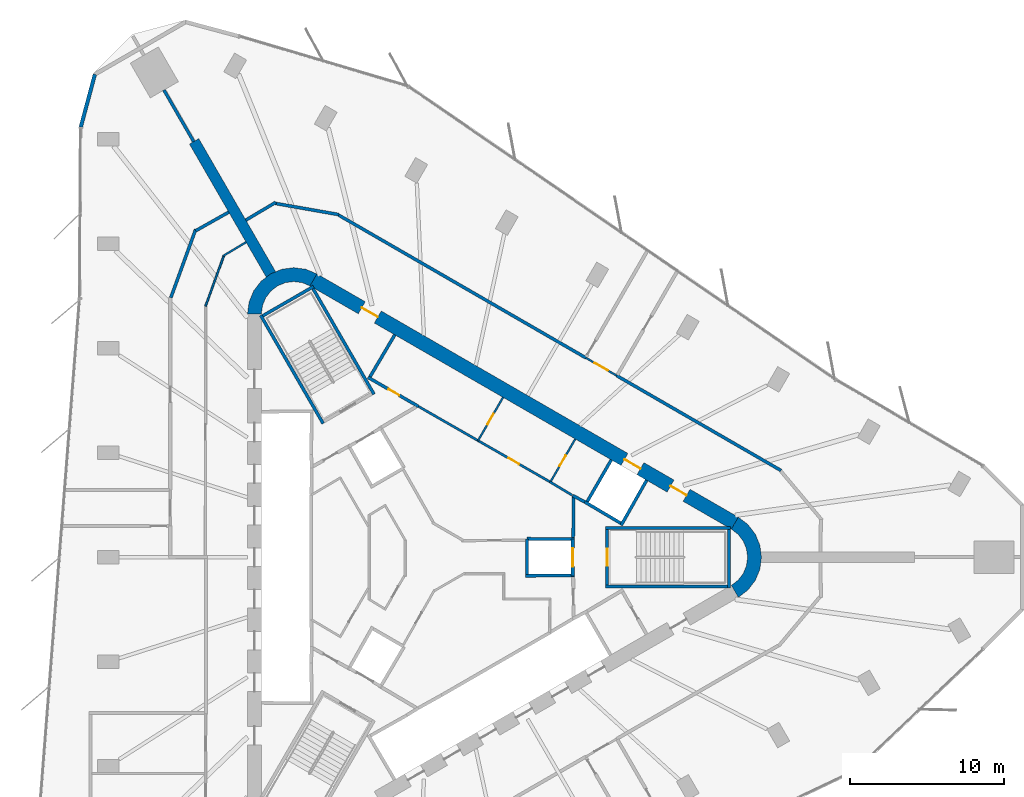
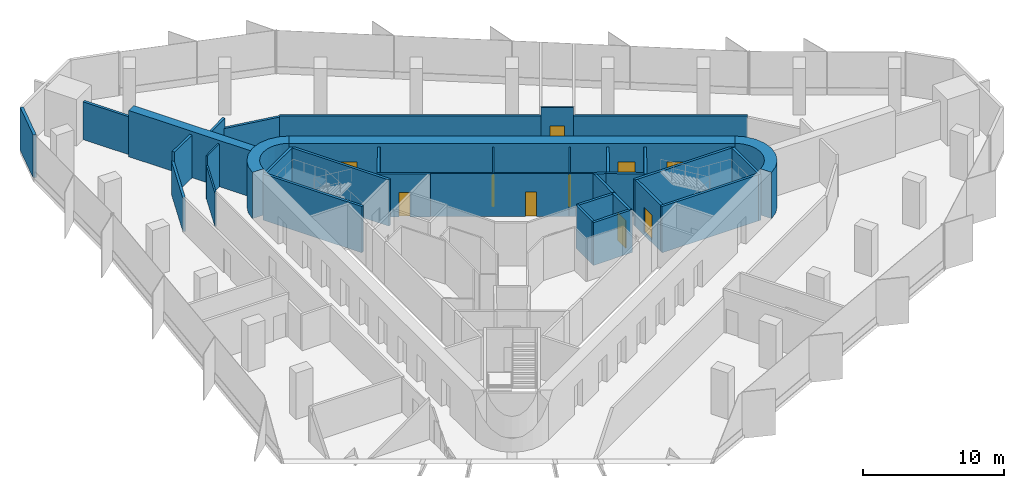
# One storey, part 11 of 13: 37 walls, 10 doors, 10 openings.
"""IFC4 building model written with IfcOpenShell, lengths in metres."""

from ifc_helpers import new_model, si_unit, direction, frame, frame_2d, origin, place, context, subcontext, project, spatial, polyline, rectangle, outline, extrude, material, layer, layer_set, type_object, element, fill, save


model = new_model("IFC4")

# Units and contexts
model_context = context("Model", 3, precision=1e-05, world=origin(), true_north=direction((0.0, 1.0)))
body_context = subcontext(model_context, "Body", "Model", "MODEL_VIEW")
ifc_project = project(units=[si_unit("LENGTHUNIT", "METRE"), si_unit("AREAUNIT", "SQUARE_METRE"), si_unit("VOLUMEUNIT", "CUBIC_METRE"), si_unit("PLANEANGLEUNIT", "RADIAN"), si_unit("MASSUNIT", "GRAM", prefix="KILO")], contexts=[model_context])

# Site, building, storey
site_placement = place(None, origin())
site = spatial("IfcSite", under=ifc_project, at=site_placement, CompositionType="ELEMENT")
building_placement = place(site_placement, origin())
building = spatial("IfcBuilding", under=site, at=building_placement, Name="Tanit Gate Tower", CompositionType="ELEMENT")
storey_placement = place(building_placement, frame((0.0, 0.0, 269.199951171875)))
storey = spatial("IfcBuildingStorey", under=building, at=storey_placement, Name="L61", CompositionType="ELEMENT", Elevation=269.199951171875)

# Wall
ifc_material_1 = material(Name="Concrete C50/60", Category="concrete")
ifc_layer_1 = layer(ifc_material_1, 0.699951171875)
ifc_layer_set_1 = layer_set([ifc_layer_1], Name="BUTTRESS FIN 700 C50/60")
wall_type_1 = type_object("IfcWallType", Name="BUTTRESS FIN 700 C50/60", PredefinedType="SHEAR", material=ifc_layer_set_1)
wall_1_placement = place(storey_placement, frame((-10.574951171875, 18.31640625, 0.0), z_axis=(0.0, 0.0, 1.0), x_axis=(-0.500007350791, 0.866021159762, 0.0)))
element("IfcWall", 1, at=wall_1_placement, inside=storey, type_object=wall_type_1, Name="BUTTRESS FIN", PredefinedType="SHEAR", context=body_context, shape_type="SweptSolid", body=[
    extrude(rectangle(XDim=9.964599609375, YDim=0.699951171875, at=frame_2d((4.982421875, 0.0))), origin(), (0.0, 0.0, 1.0), 4.0),
])

# Wall, openings, doors
ifc_material_2 = material(Name="Concrete C50/60", Category="concrete")
ifc_layer_2 = layer(ifc_material_2, 0.89990234375)
ifc_layer_set_2 = layer_set([ifc_layer_2], Name="CORE WALL 900 C50/60")
wall_type_2 = type_object("IfcWallType", Name="CORE WALL 900 C50/60", PredefinedType="SHEAR", material=ifc_layer_set_2)
wall_2_placement = place(storey_placement, frame((19.47509765625, 2.20849609375, 0.0), z_axis=(0.0, 0.0, 1.0), x_axis=(-0.866028369851, 0.499994862586, 0.0)))
wall_2 = element("IfcWall", 2, at=wall_2_placement, inside=storey, type_object=wall_type_2, Name="CORE WALL", PredefinedType="SHEAR", context=body_context, shape_type="SweptSolid", body=[
    extrude(rectangle(XDim=31.523193359375, YDim=0.89990234375, at=frame_2d((15.76171875, 0.0))), origin(), (0.0, 0.0, 1.0), 4.0),
])
opening_1_placement = place(wall_2_placement, frame((7.0615234375, 0.0, 0.0)))
opening_1 = element("IfcOpeningElement", 3, at=opening_1_placement, cuts=wall_2, Name="Opening LDML8-S17", PredefinedType="OPENING", context=body_context, shape_type="SweptSolid", body=[
    extrude(rectangle(XDim=1.199951171875, YDim=2.39990234375, at=frame_2d((0.60009765625, 1.199951171875))), frame((0.0, 0.4599609375, 0.0), z_axis=(0.0, -1.0, 0.0), x_axis=(1.0, 0.0, 0.0)), (0.0, 0.0, 1.0), 0.919921875),
])
opening_2_placement = place(wall_2_placement, frame((3.611572265625, 0.0, 0.0)))
opening_2 = element("IfcOpeningElement", 4, at=opening_2_placement, cuts=wall_2, Name="Opening F12-S17-FL1", PredefinedType="OPENING", context=body_context, shape_type="SweptSolid", body=[
    extrude(rectangle(XDim=1.199951171875, YDim=2.39990234375, at=frame_2d((0.60009765625, 1.199951171875))), frame((0.0, 0.4599609375, 0.0), z_axis=(0.0, -1.0, 0.0), x_axis=(1.0, 0.0, 0.0)), (0.0, 0.0, 1.0), 0.919921875),
])
opening_3_placement = place(wall_2_placement, frame((26.711669921875, 0.0, 0.0)))
opening_3 = element("IfcOpeningElement", 5, at=opening_3_placement, cuts=wall_2, Name="Opening F12-S17-S2", PredefinedType="OPENING", context=body_context, shape_type="SweptSolid", body=[
    extrude(rectangle(XDim=1.199951171875, YDim=2.39990234375, at=frame_2d((0.60009765625, 1.199951171875))), frame((0.0, 0.4599609375, 0.0), z_axis=(0.0, -1.0, 0.0), x_axis=(1.0, 0.0, 0.0)), (0.0, 0.0, 1.0), 0.919921875),
])
ifc_material_3 = material(Name="Fire-rated steel door leaf", Category="steel")
door_type_1 = type_object("IfcDoorType", Name="INT-DOOR-FIRE-LOBBY-1200", OperationType="NOTDEFINED", PredefinedType="USERDEFINED", material=ifc_material_3)
door_1_placement = place(opening_2_placement, origin())
door_1 = element("IfcDoor", 6, at=door_1_placement, inside=storey, type_object=door_type_1, Name="Door F12-S17-FL1", ObjectType="FIRE DOOR", OperationType="SINGLE_SWING_LEFT", OverallHeight=2.39990234375, OverallWidth=1.199951171875, PredefinedType="USERDEFINED", context=body_context, shape_type="SweptSolid", body=[
    extrude(rectangle(XDim=1.199951171875, YDim=2.39990234375, at=frame_2d((0.60009765625, 1.199951171875))), frame((0.0, 0.02490234375, 0.0), z_axis=(0.0, -1.0, 0.0), x_axis=(1.0, 0.0, 0.0)), (0.0, 0.0, 1.0), 0.050048828125),
])
fill(opening_2, door_1)
door_2_placement = place(opening_3_placement, origin())
door_2 = element("IfcDoor", 7, at=door_2_placement, inside=storey, type_object=door_type_1, Name="Door F12-S17-S2", ObjectType="FIRE DOOR", OperationType="SINGLE_SWING_LEFT", OverallHeight=2.39990234375, OverallWidth=1.199951171875, PredefinedType="USERDEFINED", context=body_context, shape_type="SweptSolid", body=[
    extrude(rectangle(XDim=1.199951171875, YDim=2.39990234375, at=frame_2d((0.60009765625, 1.199951171875))), frame((0.0, 0.02490234375, 0.0), z_axis=(0.0, -1.0, 0.0), x_axis=(1.0, 0.0, 0.0)), (0.0, 0.0, 1.0), 0.050048828125),
])
fill(opening_3, door_2)
ifc_material_4 = material(Name="Stainless steel sliding door leaf", Category="steel")
door_type_2 = type_object("IfcDoorType", Name="INT-DOOR-LANDING-1200", OperationType="NOTDEFINED", PredefinedType="USERDEFINED", material=ifc_material_4)
door_3_placement = place(opening_1_placement, origin())
door_3 = element("IfcDoor", 8, at=door_3_placement, inside=storey, type_object=door_type_2, Name="Door LDML8-S17", ObjectType="LANDING DOOR", OperationType="SLIDING_TO_LEFT", OverallHeight=2.39990234375, OverallWidth=1.199951171875, PredefinedType="USERDEFINED", context=body_context, shape_type="SweptSolid", body=[
    extrude(rectangle(XDim=1.199951171875, YDim=2.39990234375, at=frame_2d((0.60009765625, 1.199951171875))), frame((0.0, 0.02490234375, 0.0), z_axis=(0.0, -1.0, 0.0), x_axis=(1.0, 0.0, 0.0)), (0.0, 0.0, 1.0), 0.050048828125),
])
fill(opening_1, door_3)

# Walls
wall_3_placement = place(storey_placement, origin())
element("IfcWall", 9, at=wall_3_placement, inside=storey, type_object=wall_type_2, Name="CORE WALL CORNER", PredefinedType="SHEAR", context=body_context, shape_type="SweptSolid", body=[
    extrude(outline(polyline([(-7.60009765625, 18.359619140625), (-8.323486328125, 18.659423828125), (-9.10009765625, 18.76171875), (-9.87646484375, 18.659423828125), (-10.60009765625, 18.359619140625), (-11.22119140625, 17.883056640625), (-11.697998046875, 17.26171875), (-11.997802734375, 16.5380859375), (-12.10009765625, 15.76171875), (-11.199951171875, 15.76171875), (-11.12841796875, 16.30517578125), (-10.918701171875, 16.811767578125), (-10.5849609375, 17.24658203125), (-10.14990234375, 17.580322265625), (-9.6435546875, 17.7900390625), (-9.10009765625, 17.86181640625), (-8.556396484375, 17.7900390625), (-8.050048828125, 17.580322265625), (-7.60009765625, 18.359619140625)])), origin(), (0.0, 0.0, 1.0), 4.0),
])
wall_4_placement = place(storey_placement, origin())
element("IfcWall", 10, at=wall_4_placement, inside=storey, type_object=wall_type_2, Name="CORE WALL CORNER", PredefinedType="SHEAR", context=body_context, shape_type="SweptSolid", body=[
    extrude(outline(polyline([(19.699951171875, -2.59814453125), (20.3212890625, -2.121337890625), (20.798095703125, -1.5), (21.097900390625, -0.776611328125), (21.199951171875, 0.0), (21.097900390625, 0.776611328125), (20.798095703125, 1.5), (20.3212890625, 2.121337890625), (19.699951171875, 2.59814453125), (19.25, 1.818603515625), (19.684814453125, 1.48486328125), (20.018798828125, 1.050048828125), (20.228515625, 0.54345703125), (20.300048828125, 0.0), (20.228515625, -0.54345703125), (20.018798828125, -1.050048828125), (19.684814453125, -1.48486328125), (19.25, -1.818603515625), (19.699951171875, -2.59814453125)])), origin(), (0.0, 0.0, 1.0), 4.0),
])
ifc_material_5 = material(Name="Concrete C30/37 with bronze anodised aluminium cladding", Category="concrete")
ifc_layer_3 = layer(ifc_material_5, 0.239990234375)
ifc_layer_set_3 = layer_set([ifc_layer_3], Name="Facade wall bronze clad 240")
wall_type_3 = type_object("IfcWallType", Name="Facade wall bronze clad 240", PredefinedType="SOLIDWALL", material=ifc_layer_set_3)
wall_5_placement = place(storey_placement, frame((-21.986328125, 31.283203125, 0.0), z_axis=(0.0, 0.0, 1.0), x_axis=(-0.258844219627, -0.965919080444, 0.0)))
element("IfcWall", 11, at=wall_5_placement, inside=storey, type_object=wall_type_3, Name="Bronze-clad facade wall L61 NW.arc3", PredefinedType="SOLIDWALL", context=body_context, shape_type="SweptSolid", body=[
    extrude(rectangle(XDim=3.5361328125, YDim=0.239990234375, at=frame_2d((1.76806640625, 0.0))), origin(), (0.0, 0.0, 1.0), 3.699951171875),
])
ifc_material_6 = material(Name="Fire-rated gypsum board partition")
ifc_layer_4 = layer(ifc_material_6, 0.199951171875)
ifc_layer_set_4 = layer_set([ifc_layer_4], Name="INT-WALL-COMPARTMENT")
wall_type_4 = type_object("IfcWallType", Name="INT-WALL-COMPARTMENT", PredefinedType="PARTITIONING", material=ifc_layer_set_4)
wall_6_placement = place(storey_placement, frame((8.97412109375, 3.998779296875, 0.0), z_axis=(0.0, 0.0, 1.0), x_axis=(0.880917147855, -0.473270513147, 0.0)))
element("IfcWall", 12, at=wall_6_placement, inside=storey, type_object=wall_type_4, Name="Wall Compartment W050", PredefinedType="PARTITIONING", context=body_context, shape_type="SweptSolid", body=[
    extrude(rectangle(XDim=0.8779296875, YDim=0.199951171875, at=frame_2d((0.43896484375, 0.0))), origin(), (0.0, 0.0, 1.0), 3.699951171875),
])

# Wall, opening, door
wall_7_placement = place(storey_placement, frame((-4.295654296875, 11.659912109375, 0.0), z_axis=(0.0, 0.0, 1.0), x_axis=(0.866027389382, -0.499996560828, 0.0)))
wall_7 = element("IfcWall", 13, at=wall_7_placement, inside=storey, type_object=wall_type_4, Name="Wall Compartment W054", PredefinedType="PARTITIONING", context=body_context, shape_type="SweptSolid", body=[
    extrude(rectangle(XDim=3.77783203125, YDim=0.199951171875, at=frame_2d((1.888916015625, 0.0))), origin(), (0.0, 0.0, 1.0), 3.699951171875),
])
opening_4_placement = place(wall_7_placement, frame((1.538818359375, 0.0, 0.0)))
opening_4 = element("IfcOpeningElement", 14, at=opening_4_placement, cuts=wall_7, Name="Opening R08-S17-16", PredefinedType="OPENING", context=body_context, shape_type="SweptSolid", body=[
    extrude(rectangle(XDim=0.800048828125, YDim=2.10009765625, at=frame_2d((0.39990234375, 1.050048828125))), frame((0.0, 0.10986328125, 0.0), z_axis=(0.0, -1.0, 0.0), x_axis=(1.0, 0.0, 0.0)), (0.0, 0.0, 1.0), 0.219970703125),
])
ifc_material_7 = material(Name="Timber door leaf", Category="wood")
door_type_3 = type_object("IfcDoorType", Name="INT-DOOR-RISER-800", OperationType="NOTDEFINED", PredefinedType="USERDEFINED", material=ifc_material_7)
door_4_placement = place(opening_4_placement, origin())
door_4 = element("IfcDoor", 15, at=door_4_placement, inside=storey, type_object=door_type_3, Name="Door R08-S17-16", ObjectType="FIRE DOOR", OperationType="SINGLE_SWING_RIGHT", OverallHeight=2.10009765625, OverallWidth=0.800048828125, PredefinedType="USERDEFINED", context=body_context, shape_type="SweptSolid", body=[
    extrude(rectangle(XDim=0.800048828125, YDim=2.10009765625, at=frame_2d((0.39990234375, 1.050048828125))), frame((0.0, 0.02490234375, 0.0), z_axis=(0.0, -1.0, 0.0), x_axis=(1.0, 0.0, 0.0)), (0.0, 0.0, 1.0), 0.050048828125),
])
fill(opening_4, door_4)

# Walls
wall_8_placement = place(storey_placement, frame((-2.557861328125, 14.409423828125, 0.0), z_axis=(0.0, 0.0, 1.0), x_axis=(-0.508018930956, -0.861345903683, 0.0)))
element("IfcWall", 16, at=wall_8_placement, inside=storey, type_object=wall_type_4, Name="Wall Compartment W055", PredefinedType="PARTITIONING", context=body_context, shape_type="SweptSolid", body=[
    extrude(rectangle(XDim=3.150146484375, YDim=0.199951171875, at=frame_2d((1.5751953125, 0.0))), origin(), (0.0, 0.0, 1.0), 3.699951171875),
])
wall_9_placement = place(storey_placement, frame((9.0009765625, 1.27001953125, 0.0), z_axis=(0.0, 0.0, 1.0), x_axis=(0.010751103362, 0.999942205218, 0.0)))
element("IfcWall", 17, at=wall_9_placement, inside=storey, type_object=wall_type_4, Name="Wall Compartment W059", PredefinedType="PARTITIONING", context=body_context, shape_type="SweptSolid", body=[
    extrude(rectangle(XDim=2.72509765625, YDim=0.199951171875, at=frame_2d((1.362548828125, 0.0))), origin(), (0.0, 0.0, 1.0), 3.699951171875),
])
wall_10_placement = place(storey_placement, frame((-15.456298828125, 21.238525390625, 0.0), z_axis=(0.0, 0.0, 1.0), x_axis=(-0.34205546997, -0.939679762187, 0.0)))
element("IfcWall", 18, at=wall_10_placement, inside=storey, type_object=wall_type_4, Name="Wall Compartment W091", PredefinedType="PARTITIONING", context=body_context, shape_type="SweptSolid", body=[
    extrude(rectangle(XDim=4.705810546875, YDim=0.199951171875, at=frame_2d((2.35302734375, 0.0))), origin(), (0.0, 0.0, 1.0), 2.880126953125),
])
wall_11_placement = place(storey_placement, frame((-13.31298828125, 22.35888671875, 0.0), z_axis=(0.0, 0.0, 1.0), x_axis=(-0.87121710687, -0.490897904555, 0.0)))
element("IfcWall", 19, at=wall_11_placement, inside=storey, type_object=wall_type_4, Name="Wall Compartment W092", PredefinedType="PARTITIONING", context=body_context, shape_type="SweptSolid", body=[
    extrude(rectangle(XDim=2.457275390625, YDim=0.199951171875, at=frame_2d((1.228515625, 0.0))), origin(), (0.0, 0.0, 1.0), 3.699951171875),
])
wall_12_placement = place(storey_placement, frame((22.466064453125, 5.619873046875, 0.0), z_axis=(0.0, 0.0, 1.0), x_axis=(-0.866024234898, 0.500002024564, 0.0)))
element("IfcWall", 20, at=wall_12_placement, inside=storey, type_object=wall_type_4, Name="Wall Compartment W099", PredefinedType="PARTITIONING", context=body_context, shape_type="SweptSolid", body=[
    extrude(rectangle(XDim=12.29638671875, YDim=0.199951171875, at=frame_2d((6.148193359375, 0.0))), origin(), (0.0, 0.0, 1.0), 2.97998046875),
])
wall_13_placement = place(storey_placement, frame((9.825439453125, 12.91796875, 0.0), z_axis=(0.0, 0.0, 1.0), x_axis=(-0.866022708987, 0.500004667497, 0.0)))
element("IfcWall", 21, at=wall_13_placement, inside=storey, type_object=wall_type_4, Name="Wall Compartment W104", PredefinedType="PARTITIONING", context=body_context, shape_type="SweptSolid", body=[
    extrude(rectangle(XDim=18.496337890625, YDim=0.199951171875, at=frame_2d((9.248046875, 0.0))), origin(), (0.0, 0.0, 1.0), 2.97998046875),
])
wall_14_placement = place(storey_placement, frame((-10.26513671875, 22.995849609375, 0.0), z_axis=(0.0, 0.0, 1.0), x_axis=(-0.859934823121, -0.510403859687, 0.0)))
element("IfcWall", 22, at=wall_14_placement, inside=storey, type_object=wall_type_4, Name="Wall Compartment W102", PredefinedType="PARTITIONING", context=body_context, shape_type="SweptSolid", body=[
    extrude(rectangle(XDim=2.25830078125, YDim=0.199951171875, at=frame_2d((1.129150390625, 0.0))), origin(), (0.0, 0.0, 1.0), 3.699951171875),
])
wall_15_placement = place(storey_placement, frame((-6.18115234375, 22.19873046875, 0.0), z_axis=(0.0, 0.0, 1.0), x_axis=(-0.984807544765, 0.17364935869, 0.0)))
element("IfcWall", 23, at=wall_15_placement, inside=storey, type_object=wall_type_4, Name="Wall Compartment W103", PredefinedType="PARTITIONING", context=body_context, shape_type="SweptSolid", body=[
    extrude(rectangle(XDim=4.199462890625, YDim=0.199951171875, at=frame_2d((2.099609375, 0.0))), origin(), (0.0, 0.0, 1.0), 2.880126953125),
])
wall_16_placement = place(storey_placement, frame((-17.510986328125, 30.27001953125, 0.0), z_axis=(0.0, 0.0, 1.0), x_axis=(0.499980071345, -0.866036909293, 0.0)))
element("IfcWall", 24, at=wall_16_placement, inside=storey, type_object=wall_type_4, Name="Wall Compartment W123", PredefinedType="PARTITIONING", context=body_context, shape_type="SweptSolid", body=[
    extrude(rectangle(XDim=3.855712890625, YDim=0.199951171875, at=frame_2d((1.927734375, 0.0))), origin(), (0.0, 0.0, 1.0), 3.27001953125),
])

# Wall, opening, door
ifc_material_8 = material(Name="Gypsum board partition")
ifc_layer_5 = layer(ifc_material_8, 0.1201171875)
ifc_layer_set_5 = layer_set([ifc_layer_5], Name="INT-WALL-PARTITION")
wall_type_5 = type_object("IfcWallType", Name="INT-WALL-PARTITION", PredefinedType="PARTITIONING", material=ifc_layer_set_5)
wall_17_placement = place(storey_placement, frame((7.50830078125, 4.844970703125, 0.0), z_axis=(0.0, 0.0, 1.0), x_axis=(0.500017246033, 0.866015446554, 0.0)))
wall_17 = element("IfcWall", 25, at=wall_17_placement, inside=storey, type_object=wall_type_5, Name="Wall Partition W049", PredefinedType="PARTITIONING", context=body_context, shape_type="SweptSolid", body=[
    extrude(rectangle(XDim=3.25, YDim=0.1201171875, at=frame_2d((1.625, 0.0))), origin(), (0.0, 0.0, 1.0), 3.699951171875),
])
opening_5_placement = place(wall_17_placement, frame((1.22509765625, 0.0, 0.0)))
opening_5 = element("IfcOpeningElement", 26, at=opening_5_placement, cuts=wall_17, Name="Opening R08-S17-14", PredefinedType="OPENING", context=body_context, shape_type="SweptSolid", body=[
    extrude(rectangle(XDim=0.800048828125, YDim=2.10009765625, at=frame_2d((0.39990234375, 1.050048828125))), frame((0.0, 0.070068359375, 0.0), z_axis=(0.0, -1.0, 0.0), x_axis=(1.0, 0.0, 0.0)), (0.0, 0.0, 1.0), 0.14013671875),
])
door_5_placement = place(opening_5_placement, origin())
door_5 = element("IfcDoor", 27, at=door_5_placement, inside=storey, type_object=door_type_3, Name="Door R08-S17-14", ObjectType="FIRE DOOR", OperationType="SINGLE_SWING_RIGHT", OverallHeight=2.10009765625, OverallWidth=0.800048828125, PredefinedType="USERDEFINED", context=body_context, shape_type="SweptSolid", body=[
    extrude(rectangle(XDim=0.800048828125, YDim=2.10009765625, at=frame_2d((0.39990234375, 1.050048828125))), frame((0.0, 0.02490234375, 0.0), z_axis=(0.0, -1.0, 0.0), x_axis=(1.0, 0.0, 0.0)), (0.0, 0.0, 1.0), 0.050048828125),
])
fill(opening_5, door_5)

wall_18_placement = place(storey_placement, frame((2.831787109375, 7.544921875, 0.0), z_axis=(0.0, 0.0, 1.0), x_axis=(0.500017246033, 0.866015446554, 0.0)))
wall_18 = element("IfcWall", 28, at=wall_18_placement, inside=storey, type_object=wall_type_5, Name="Wall Partition W052", PredefinedType="PARTITIONING", context=body_context, shape_type="SweptSolid", body=[
    extrude(rectangle(XDim=3.25, YDim=0.1201171875, at=frame_2d((1.625, 0.0))), origin(), (0.0, 0.0, 1.0), 3.699951171875),
])
opening_6_placement = place(wall_18_placement, frame((1.22509765625, 0.0, 0.0)))
opening_6 = element("IfcOpeningElement", 29, at=opening_6_placement, cuts=wall_18, Name="Opening R08-S17-15", PredefinedType="OPENING", context=body_context, shape_type="SweptSolid", body=[
    extrude(rectangle(XDim=0.800048828125, YDim=2.10009765625, at=frame_2d((0.39990234375, 1.050048828125))), frame((0.0, 0.070068359375, 0.0), z_axis=(0.0, -1.0, 0.0), x_axis=(1.0, 0.0, 0.0)), (0.0, 0.0, 1.0), 0.14013671875),
])
door_6_placement = place(opening_6_placement, origin())
door_6 = element("IfcDoor", 30, at=door_6_placement, inside=storey, type_object=door_type_3, Name="Door R08-S17-15", ObjectType="FIRE DOOR", OperationType="SINGLE_SWING_RIGHT", OverallHeight=2.10009765625, OverallWidth=0.800048828125, PredefinedType="USERDEFINED", context=body_context, shape_type="SweptSolid", body=[
    extrude(rectangle(XDim=0.800048828125, YDim=2.10009765625, at=frame_2d((0.39990234375, 1.050048828125))), frame((0.0, 0.02490234375, 0.0), z_axis=(0.0, -1.0, 0.0), x_axis=(1.0, 0.0, 0.0)), (0.0, 0.0, 1.0), 0.050048828125),
])
fill(opening_6, door_6)

# Walls
wall_19_placement = place(storey_placement, frame((-12.188720703125, 20.411376953125, 0.0), z_axis=(0.0, 0.0, 1.0), x_axis=(-0.858492721014, -0.51282574815, 0.0)))
element("IfcWall", 31, at=wall_19_placement, inside=storey, type_object=wall_type_5, Name="Wall Partition W084", PredefinedType="PARTITIONING", context=body_context, shape_type="SweptSolid", body=[
    extrude(rectangle(XDim=1.742431640625, YDim=0.1201171875, at=frame_2d((0.87109375, 0.0))), origin(), (0.0, 0.0, 1.0), 3.699951171875),
])
wall_20_placement = place(storey_placement, frame((-13.630615234375, 19.529541015625, 0.0), z_axis=(0.0, 0.0, 1.0), x_axis=(-0.342069878069, -0.939674517329, 0.0)))
element("IfcWall", 32, at=wall_20_placement, inside=storey, type_object=wall_type_5, Name="Wall Partition W085", PredefinedType="PARTITIONING", context=body_context, shape_type="SweptSolid", body=[
    extrude(rectangle(XDim=3.478759765625, YDim=0.1201171875, at=frame_2d((1.7392578125, 0.0))), origin(), (0.0, 0.0, 1.0), 2.880126953125),
])

# Wall, opening, door
wall_21_placement = place(storey_placement, frame((11.817138671875, 11.76806640625, 0.0), z_axis=(0.0, 0.0, 1.0), x_axis=(-0.86602648383, 0.499998129301, 0.0)))
wall_21 = element("IfcWall", 33, at=wall_21_placement, inside=storey, type_object=wall_type_5, Name="Wall Partition W098", PredefinedType="PARTITIONING", context=body_context, shape_type="SweptSolid", body=[
    extrude(rectangle(XDim=2.2998046875, YDim=0.1201171875, at=frame_2d((1.14990234375, 0.0))), origin(), (0.0, 0.0, 1.0), 3.699951171875),
])
opening_7_placement = place(wall_21_placement, frame((0.64990234375, 0.0, 0.0)))
opening_7 = element("IfcOpeningElement", 34, at=opening_7_placement, cuts=wall_21, Name="Opening D10-S17-21", PredefinedType="OPENING", context=body_context, shape_type="SweptSolid", body=[
    extrude(rectangle(XDim=1.0, YDim=2.10009765625, at=frame_2d((0.5, 1.050048828125))), frame((0.0, 0.070068359375, 0.0), z_axis=(0.0, -1.0, 0.0), x_axis=(1.0, 0.0, 0.0)), (0.0, 0.0, 1.0), 0.14013671875),
])
ifc_material_9 = material(Name="Timber door leaf", Category="wood")
door_type_4 = type_object("IfcDoorType", Name="INT-DOOR-SINGLE-1000", OperationType="NOTDEFINED", PredefinedType="NOTDEFINED", material=ifc_material_9)
door_7_placement = place(opening_7_placement, origin())
door_7 = element("IfcDoor", 35, at=door_7_placement, inside=storey, type_object=door_type_4, Name="Door D10-S17-21", OperationType="SINGLE_SWING_LEFT", OverallHeight=2.10009765625, OverallWidth=1.0, PredefinedType="NOTDEFINED", context=body_context, shape_type="SweptSolid", body=[
    extrude(rectangle(XDim=1.0, YDim=2.10009765625, at=frame_2d((0.5, 1.050048828125))), frame((0.0, 0.02490234375, 0.0), z_axis=(0.0, -1.0, 0.0), x_axis=(1.0, 0.0, 0.0)), (0.0, 0.0, 1.0), 0.050048828125),
])
fill(opening_7, door_7)

# Wall
ifc_material_10 = material(Name="Fire-rated gypsum board partition")
ifc_layer_6 = layer(ifc_material_10, 0.14990234375)
ifc_layer_set_6 = layer_set([ifc_layer_6], Name="INT-WALL-RISER")
wall_type_6 = type_object("IfcWallType", Name="INT-WALL-RISER", PredefinedType="PLUMBINGWALL", material=ifc_layer_set_6)
wall_22_placement = place(storey_placement, frame((8.9306640625, 4.026123046875, 0.0), z_axis=(0.0, 0.0, 1.0), x_axis=(-0.857531586833, 0.514431314738, 0.0)))
element("IfcWall", 36, at=wall_22_placement, inside=storey, type_object=wall_type_6, Name="Wall Riser W051", PredefinedType="PLUMBINGWALL", context=body_context, shape_type="SweptSolid", body=[
    extrude(rectangle(XDim=1.67138671875, YDim=0.14990234375, at=frame_2d((0.835693359375, 0.0))), origin(), (0.0, 0.0, 1.0), 3.699951171875),
])

# Wall, opening, door
wall_23_placement = place(storey_placement, frame((7.497314453125, 4.885986328125, 0.0), z_axis=(0.0, 0.0, 1.0), x_axis=(-0.867541725638, 0.497364407931, 0.0)))
wall_23 = element("IfcWall", 37, at=wall_23_placement, inside=storey, type_object=wall_type_6, Name="Wall Riser W053", PredefinedType="PLUMBINGWALL", context=body_context, shape_type="SweptSolid", body=[
    extrude(rectangle(XDim=9.822265625, YDim=0.14990234375, at=frame_2d((4.9111328125, 0.0))), origin(), (0.0, 0.0, 1.0), 3.699951171875),
])
opening_8_placement = place(wall_23_placement, frame((2.300048828125, 0.0, 0.0)))
opening_8 = element("IfcOpeningElement", 38, at=opening_8_placement, cuts=wall_23, Name="Opening R08-S17-18", PredefinedType="OPENING", context=body_context, shape_type="SweptSolid", body=[
    extrude(rectangle(XDim=0.800048828125, YDim=2.10009765625, at=frame_2d((0.39990234375, 1.050048828125))), frame((0.0, 0.0849609375, 0.0), z_axis=(0.0, -1.0, 0.0), x_axis=(1.0, 0.0, 0.0)), (0.0, 0.0, 1.0), 0.169921875),
])
door_8_placement = place(opening_8_placement, origin())
door_8 = element("IfcDoor", 39, at=door_8_placement, inside=storey, type_object=door_type_3, Name="Door R08-S17-18", ObjectType="FIRE DOOR", OperationType="SINGLE_SWING_LEFT", OverallHeight=2.10009765625, OverallWidth=0.800048828125, PredefinedType="USERDEFINED", context=body_context, shape_type="SweptSolid", body=[
    extrude(rectangle(XDim=0.800048828125, YDim=2.10009765625, at=frame_2d((0.39990234375, 1.050048828125))), frame((0.0, 0.02490234375, 0.0), z_axis=(0.0, -1.0, 0.0), x_axis=(1.0, 0.0, 0.0)), (0.0, 0.0, 1.0), 0.050048828125),
])
fill(opening_8, door_8)

# Walls
ifc_material_11 = material(Name="Gypsum shaft wall system")
ifc_layer_7 = layer(ifc_material_11, 0.199951171875)
ifc_layer_set_7 = layer_set([ifc_layer_7], Name="INT-WALL-SHAFT")
wall_type_7 = type_object("IfcWallType", Name="INT-WALL-SHAFT", PredefinedType="PLUMBINGWALL", material=ifc_layer_set_7)
wall_24_placement = place(storey_placement, frame((9.8466796875, 3.494873046875, 0.0), z_axis=(0.0, 0.0, 1.0), x_axis=(0.499984717929, 0.866034226713, 0.0)))
element("IfcWall", 40, at=wall_24_placement, inside=storey, type_object=wall_type_7, Name="Wall Shaft W012", PredefinedType="PLUMBINGWALL", context=body_context, shape_type="SweptSolid", body=[
    extrude(rectangle(XDim=3.25, YDim=0.199951171875, at=frame_2d((1.625, 0.0))), origin(), (0.0, 0.0, 1.0), 3.699951171875),
])
wall_25_placement = place(storey_placement, frame((12.10986328125, 2.07275390625, 0.0), z_axis=(0.0, 0.0, 1.0), x_axis=(0.49196600604, 0.870614408852, 0.0)))
element("IfcWall", 41, at=wall_25_placement, inside=storey, type_object=wall_type_7, Name="Wall Shaft W013", PredefinedType="PLUMBINGWALL", context=body_context, shape_type="SweptSolid", body=[
    extrude(rectangle(XDim=3.35009765625, YDim=0.199951171875, at=frame_2d((1.675048828125, 0.0))), origin(), (0.0, 0.0, 1.0), 3.699951171875),
])
wall_26_placement = place(storey_placement, frame((12.072998046875, 2.2109375, 0.0), z_axis=(0.0, 0.0, 1.0), x_axis=(-0.860414880418, 0.509594185166, 0.0)))
element("IfcWall", 42, at=wall_26_placement, inside=storey, type_object=wall_type_7, Name="Wall Shaft W014", PredefinedType="PLUMBINGWALL", context=body_context, shape_type="SweptSolid", body=[
    extrude(rectangle(XDim=2.7001953125, YDim=0.199951171875, at=frame_2d((1.35009765625, 0.0))), origin(), (0.0, 0.0, 1.0), 3.699951171875),
])

# Wall, opening, door
wall_27_placement = place(storey_placement, frame((8.969970703125, 1.199951171875, 0.0), z_axis=(0.0, 0.0, 1.0), x_axis=(0.0, -1.0, 0.0)))
wall_27 = element("IfcWall", 43, at=wall_27_placement, inside=storey, type_object=wall_type_7, Name="Wall Shaft W029", PredefinedType="PLUMBINGWALL", context=body_context, shape_type="SweptSolid", body=[
    extrude(rectangle(XDim=2.39990234375, YDim=0.199951171875, at=frame_2d((1.199951171875, 0.0))), origin(), (0.0, 0.0, 1.0), 3.699951171875),
])
opening_9_placement = place(wall_27_placement, frame((0.60009765625, 0.0, 0.0)))
opening_9 = element("IfcOpeningElement", 44, at=opening_9_placement, cuts=wall_27, Name="Opening LDFL1-L61", PredefinedType="OPENING", context=body_context, shape_type="SweptSolid", body=[
    extrude(rectangle(XDim=1.199951171875, YDim=2.39990234375, at=frame_2d((0.60009765625, 1.199951171875))), frame((0.0, 0.10986328125, 0.0), z_axis=(0.0, -1.0, 0.0), x_axis=(1.0, 0.0, 0.0)), (0.0, 0.0, 1.0), 0.219970703125),
])
door_9_placement = place(opening_9_placement, origin())
door_9 = element("IfcDoor", 45, at=door_9_placement, inside=storey, type_object=door_type_2, Name="Door LDFL1-L61", ObjectType="LANDING DOOR", OperationType="SLIDING_TO_LEFT", OverallHeight=2.39990234375, OverallWidth=1.199951171875, PredefinedType="USERDEFINED", context=body_context, shape_type="SweptSolid", body=[
    extrude(rectangle(XDim=1.199951171875, YDim=2.39990234375, at=frame_2d((0.60009765625, 1.199951171875))), frame((0.0, 0.02490234375, 0.0), z_axis=(0.0, -1.0, 0.0), x_axis=(1.0, 0.0, 0.0)), (0.0, 0.0, 1.0), 0.050048828125),
])
fill(opening_9, door_9)

# Walls
wall_28_placement = place(storey_placement, frame((6.0, 1.199951171875, 0.0), z_axis=(0.0, 0.0, 1.0), x_axis=(0.999949988, -0.010001074852, 0.0)))
element("IfcWall", 46, at=wall_28_placement, inside=storey, type_object=wall_type_7, Name="Wall Shaft W030", PredefinedType="PLUMBINGWALL", context=body_context, shape_type="SweptSolid", body=[
    extrude(rectangle(XDim=3.100341796875, YDim=0.199951171875, at=frame_2d((1.55029296875, 0.0))), origin(), (0.0, 0.0, 1.0), 3.699951171875),
])
wall_29_placement = place(storey_placement, frame((5.89990234375, -1.200927734375, 0.0), z_axis=(0.0, 0.0, 1.0), x_axis=(0.999950064753, 0.009993397809, 0.0)))
element("IfcWall", 47, at=wall_29_placement, inside=storey, type_object=wall_type_7, Name="Wall Shaft W031", PredefinedType="PLUMBINGWALL", context=body_context, shape_type="SweptSolid", body=[
    extrude(rectangle(XDim=3.200439453125, YDim=0.199951171875, at=frame_2d((1.60009765625, 0.0))), origin(), (0.0, 0.0, 1.0), 3.699951171875),
])
wall_30_placement = place(storey_placement, frame((6.0, -1.10009765625, 0.0), z_axis=(0.0, 0.0, 1.0), x_axis=(0.0, 1.0, 0.0)))
element("IfcWall", 48, at=wall_30_placement, inside=storey, type_object=wall_type_7, Name="Wall Shaft W032", PredefinedType="PLUMBINGWALL", context=body_context, shape_type="SweptSolid", body=[
    extrude(rectangle(XDim=2.279541015625, YDim=0.199951171875, at=frame_2d((1.1396484375, 0.0))), origin(), (0.0, 0.0, 1.0), 3.699951171875),
])
ifc_material_12 = material(Name="Concrete C40/50", Category="concrete")
ifc_layer_8 = layer(ifc_material_12, 0.199951171875)
ifc_layer_set_8 = layer_set([ifc_layer_8], Name="INT-WALL-STAIR")
wall_type_8 = type_object("IfcWallType", Name="INT-WALL-STAIR", PredefinedType="SHEAR", material=ifc_layer_set_8)
wall_31_placement = place(storey_placement, frame((19.199951171875, 1.89990234375, -0.300048828125), z_axis=(0.0, 0.0, 1.0), x_axis=(-1.0, 0.0, 0.0)))
element("IfcWall", 49, at=wall_31_placement, inside=storey, type_object=wall_type_8, Name="Wall Stair W025", PredefinedType="SHEAR", context=body_context, shape_type="SweptSolid", body=[
    extrude(rectangle(XDim=8.099853515625, YDim=0.199951171875, at=frame_2d((4.0498046875, 0.0))), origin(), (0.0, 0.0, 1.0), 4.0),
])
wall_32_placement = place(storey_placement, frame((19.10009765625, -2.0, -0.300048828125), z_axis=(0.0, 0.0, 1.0), x_axis=(0.0, 1.0, 0.0)))
element("IfcWall", 50, at=wall_32_placement, inside=storey, type_object=wall_type_8, Name="Wall Stair W026", PredefinedType="SHEAR", context=body_context, shape_type="SweptSolid", body=[
    extrude(rectangle(XDim=3.800048828125, YDim=0.199951171875, at=frame_2d((1.89990234375, 0.0))), origin(), (0.0, 0.0, 1.0), 4.0),
])
wall_33_placement = place(storey_placement, frame((11.10009765625, -1.89990234375, -0.300048828125), z_axis=(0.0, 0.0, 1.0), x_axis=(1.0, 0.0, 0.0)))
element("IfcWall", 51, at=wall_33_placement, inside=storey, type_object=wall_type_8, Name="Wall Stair W027", PredefinedType="SHEAR", context=body_context, shape_type="SweptSolid", body=[
    extrude(rectangle(XDim=7.89990234375, YDim=0.199951171875, at=frame_2d((3.949951171875, 0.0))), origin(), (0.0, 0.0, 1.0), 4.0),
])

# Wall, opening, door
wall_34_placement = place(storey_placement, frame((11.199951171875, -1.800048828125, -0.300048828125), z_axis=(0.0, 0.0, 1.0), x_axis=(0.0, 1.0, 0.0)))
wall_34 = element("IfcWall", 52, at=wall_34_placement, inside=storey, type_object=wall_type_8, Name="Wall Stair W028", PredefinedType="SHEAR", context=body_context, shape_type="SweptSolid", body=[
    extrude(rectangle(XDim=3.60009765625, YDim=0.199951171875, at=frame_2d((1.800048828125, 0.0))), origin(), (0.0, 0.0, 1.0), 4.0),
])
opening_10_placement = place(wall_34_placement, frame((1.25, 0.0, 0.300048828125)))
opening_10 = element("IfcOpeningElement", 53, at=opening_10_placement, cuts=wall_34, Name="Opening S11-S17-01", PredefinedType="OPENING", context=body_context, shape_type="SweptSolid", body=[
    extrude(rectangle(XDim=1.10009765625, YDim=2.10009765625, at=frame_2d((0.550048828125, 1.050048828125))), frame((0.0, 0.10986328125, 0.0), z_axis=(0.0, -1.0, 0.0), x_axis=(1.0, 0.0, 0.0)), (0.0, 0.0, 1.0), 0.219970703125),
])
ifc_material_13 = material(Name="Timber door leaf", Category="wood")
door_type_5 = type_object("IfcDoorType", Name="INT-DOOR-STAIR-1100", OperationType="NOTDEFINED", PredefinedType="USERDEFINED", material=ifc_material_13)
door_10_placement = place(opening_10_placement, origin())
door_10 = element("IfcDoor", 54, at=door_10_placement, inside=storey, type_object=door_type_5, Name="Door S11-S17-01", ObjectType="FIRE DOOR", OperationType="SINGLE_SWING_RIGHT", OverallHeight=2.10009765625, OverallWidth=1.10009765625, PredefinedType="USERDEFINED", context=body_context, shape_type="SweptSolid", body=[
    extrude(rectangle(XDim=1.10009765625, YDim=2.10009765625, at=frame_2d((0.550048828125, 1.050048828125))), frame((0.0, 0.02490234375, 0.0), z_axis=(0.0, -1.0, 0.0), x_axis=(1.0, 0.0, 0.0)), (0.0, 0.0, 1.0), 0.050048828125),
])
fill(opening_10, door_10)

# Walls
wall_35_placement = place(storey_placement, frame((-11.245361328125, 15.677734375, -0.300048828125), z_axis=(0.0, 0.0, 1.0), x_axis=(0.499977274689, -0.866038523851, 0.0)))
element("IfcWall", 55, at=wall_35_placement, inside=storey, type_object=wall_type_8, Name="Wall Stair W033", PredefinedType="SHEAR", context=body_context, shape_type="SweptSolid", body=[
    extrude(rectangle(XDim=8.10009765625, YDim=0.199951171875, at=frame_2d((4.050048828125, 0.0))), origin(), (0.0, 0.0, 1.0), 4.0),
])
wall_36_placement = place(storey_placement, frame((-7.81787109375, 17.541015625, -0.300048828125), z_axis=(0.0, 0.0, 1.0), x_axis=(-0.866044365799, -0.499967155389, 0.0)))
element("IfcWall", 56, at=wall_36_placement, inside=storey, type_object=wall_type_8, Name="Wall Stair W034", PredefinedType="SHEAR", context=body_context, shape_type="SweptSolid", body=[
    extrude(rectangle(XDim=3.800048828125, YDim=0.199951171875, at=frame_2d((1.89990234375, 0.0))), origin(), (0.0, 0.0, 1.0), 4.0),
])
wall_37_placement = place(storey_placement, frame((-7.8544921875, 17.404541015625, -0.300048828125), z_axis=(0.0, 0.0, 1.0), x_axis=(0.499997992926, -0.866026562566, 0.0)))
element("IfcWall", 57, at=wall_37_placement, inside=storey, type_object=wall_type_8, Name="Wall Stair W035", PredefinedType="SHEAR", context=body_context, shape_type="SweptSolid", body=[
    extrude(rectangle(XDim=7.89990234375, YDim=0.199951171875, at=frame_2d((3.949951171875, 0.0))), origin(), (0.0, 0.0, 1.0), 4.0),
])

save(model, "model.ifc")
